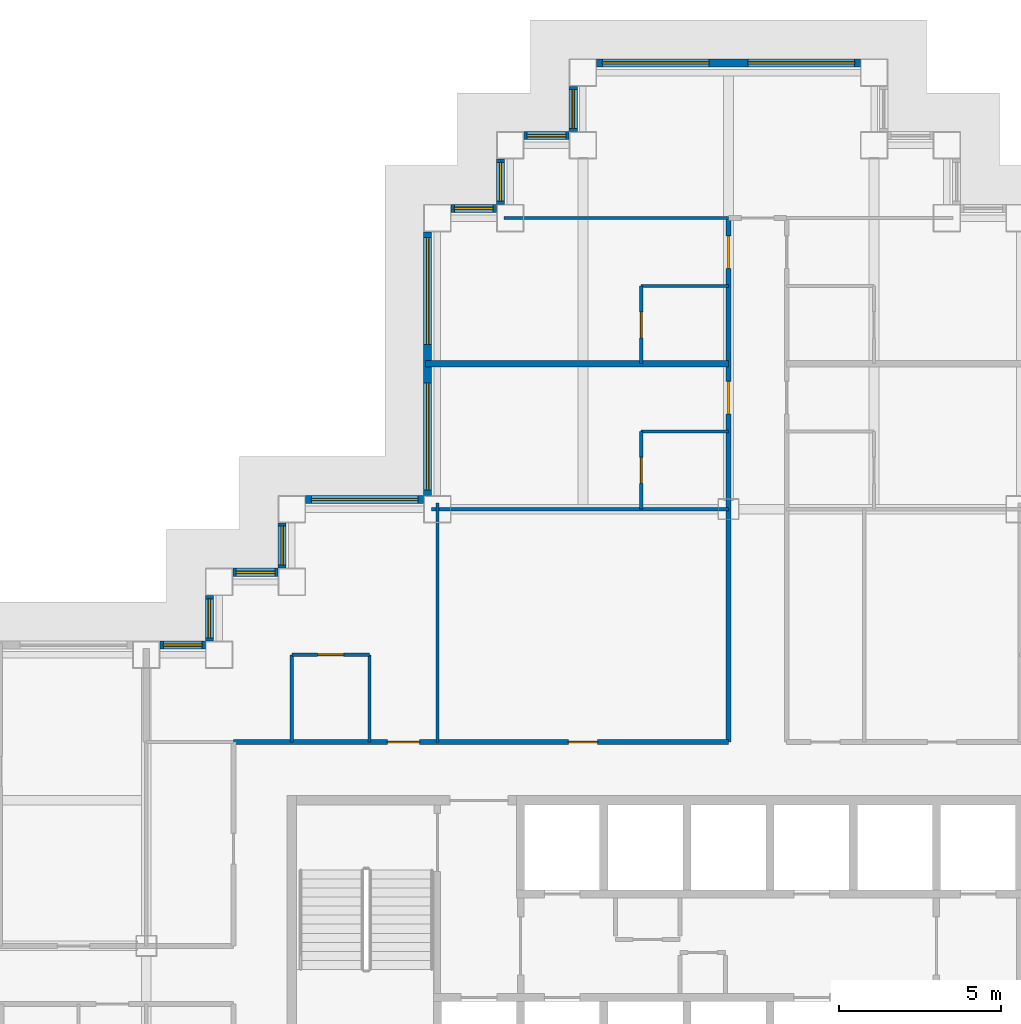
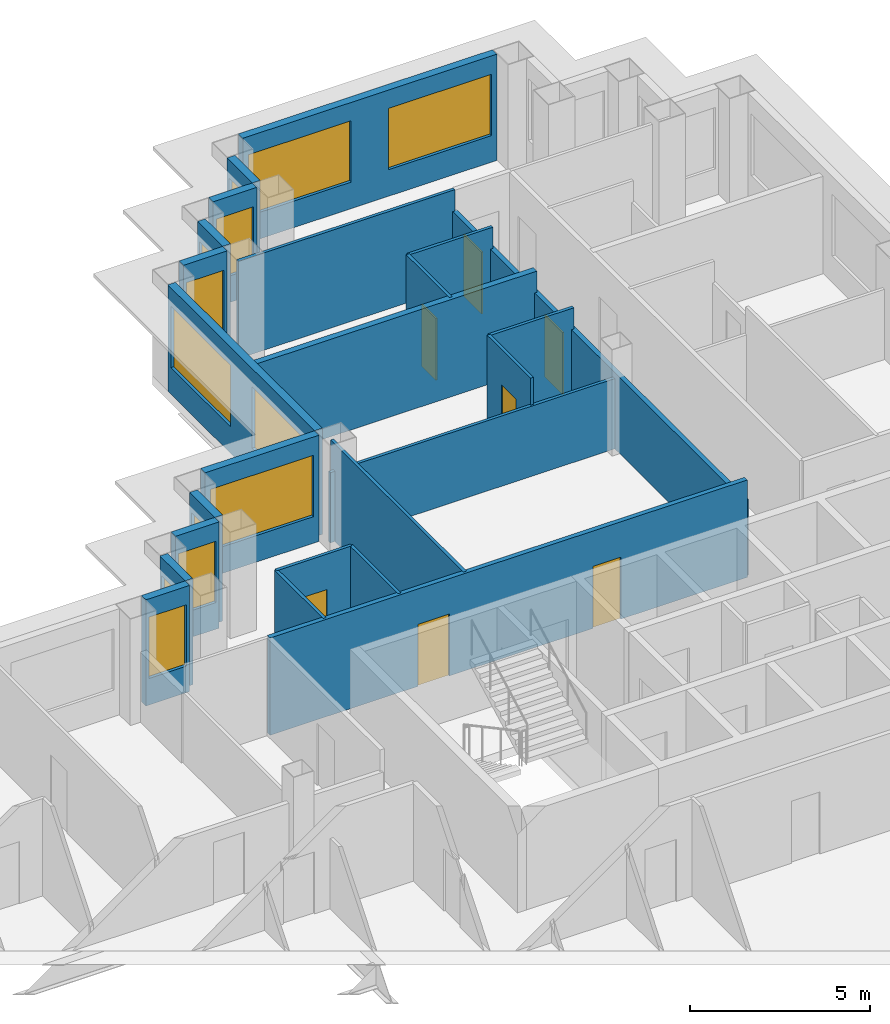
# One storey, part 9 of 16: 24 walls, 13 windows, 7 doors, 20 openings.
"""IFC4 building model written with IfcOpenShell, lengths in metres."""

from ifc_helpers import new_model, si_unit, direction, frame, frame_2d, origin, place, context, subcontext, project, spatial, rectangle, extrude, material, layer, layer_set, type_object, element, fill, save


model = new_model("IFC4")

# Units and contexts
model_context = context("Model", 3, precision=1e-05, world=origin(), true_north=direction((0.0, 1.0)))
body_context = subcontext(model_context, "Body", "Model", "MODEL_VIEW")
ifc_project = project(units=[si_unit("LENGTHUNIT", "METRE"), si_unit("AREAUNIT", "SQUARE_METRE"), si_unit("VOLUMEUNIT", "CUBIC_METRE"), si_unit("PLANEANGLEUNIT", "RADIAN"), si_unit("MASSUNIT", "GRAM", prefix="KILO")], contexts=[model_context])

# Site, building, storey
site_placement = place(None, origin())
site = spatial("IfcSite", under=ifc_project, at=site_placement, CompositionType="ELEMENT")
building_placement = place(site_placement, origin())
building = spatial("IfcBuilding", under=site, at=building_placement, Name="Caravel Reach Hotel and Residences", CompositionType="ELEMENT")
storey_placement = place(building_placement, frame((0.0, 0.0, 133.199951171875)))
storey = spatial("IfcBuildingStorey", under=building, at=storey_placement, Name="L33", CompositionType="ELEMENT", Elevation=133.199951171875)

# Wall, opening, door
ifc_material_1 = material(Name="Gypsum board on steel stud", Category="steel")
ifc_layer_1 = layer(ifc_material_1, 0.10009765625)
ifc_layer_set_1 = layer_set([ifc_layer_1], Name="Bathroom pod wall 100 mm")
wall_type_1 = type_object("IfcWallType", Name="Bathroom pod wall 100 mm", PredefinedType="PARTITIONING", material=ifc_layer_set_1)
wall_1_placement = place(storey_placement, frame((18.0, 36.0, 0.0), z_axis=(0.0, 0.0, 1.0), x_axis=(1.0, 0.0, 0.0)))
wall_1 = element("IfcWall", 1, at=wall_1_placement, inside=storey, type_object=wall_type_1, Name="L33 wall w092", PredefinedType="PARTITIONING", context=body_context, shape_type="SweptSolid", body=[
    extrude(rectangle(XDim=2.39990234375, YDim=0.10009765625, at=frame_2d((1.199951171875, 0.0))), origin(), (0.0, 0.0, 1.0), 3.300048828125),
])
opening_1_placement = place(wall_1_placement, frame((0.800048828125, 0.0, 0.0)))
opening_1 = element("IfcOpeningElement", 2, at=opening_1_placement, cuts=wall_1, Name="Opening D33-049", PredefinedType="OPENING", context=body_context, shape_type="SweptSolid", body=[
    extrude(rectangle(XDim=0.800048828125, YDim=2.10009765625, at=frame_2d((0.39990234375, 1.050048828125))), frame((0.0, 0.06005859375, 0.0), z_axis=(0.0, -1.0, 0.0), x_axis=(1.0, 0.0, 0.0)), (0.0, 0.0, 1.0), 0.1201171875),
])
ifc_material_2 = material(Name="Timber and steel door leaf", Category="steel")
door_type_1 = type_object("IfcDoorType", Name="Bathroom door 800 x 2100", OperationType="SINGLE_SWING_LEFT", PredefinedType="DOOR", material=ifc_material_2)
door_1_placement = place(opening_1_placement, origin())
door_1 = element("IfcDoor", 3, at=door_1_placement, inside=storey, type_object=door_type_1, Name="door D33-049", OperationType="SINGLE_SWING_RIGHT", OverallHeight=2.10009765625, OverallWidth=0.800048828125, PredefinedType="DOOR", context=body_context, shape_type="SweptSolid", body=[
    extrude(rectangle(XDim=0.800048828125, YDim=2.10009765625, at=frame_2d((0.39990234375, 1.050048828125))), frame((0.0, 0.02490234375, 0.0), z_axis=(0.0, -1.0, 0.0), x_axis=(1.0, 0.0, 0.0)), (0.0, 0.0, 1.0), 0.050048828125),
])
fill(opening_1, door_1)

# Walls
for number, where, z_axis, x_axis, name in (
    (4, (28.800048828125, 42.89990234375, 0.0), (0.0, 0.0, 1.0), (1.0, 0.0, 0.0), "L33 wall w095"),
    (5, (28.800048828125, 47.39990234375, 0.0), (0.0, 0.0, 1.0), (1.0, 0.0, 0.0), "L33 wall w097"),
    (6, (18.0, 33.300048828125, 0.0), (0.0, 0.0, 1.0), (0.0, 1.0, 0.0), "L33 wall w102"),
    (7, (20.39990234375, 33.300048828125, 0.0), (0.0, 0.0, 1.0), (0.0, 1.0, 0.0), "L33 wall w104"),
):
    element("IfcWall", number, at=place(storey_placement, frame(where, z_axis=z_axis, x_axis=x_axis)), inside=storey, type_object=wall_type_1, Name=name, PredefinedType="PARTITIONING", context=body_context, shape_type="SweptSolid", body=[
        extrude(rectangle(XDim=2.699951171875, YDim=0.10009765625, at=frame_2d((1.35009765625, 0.0))), origin(), (0.0, 0.0, 1.0), 3.300048828125),
    ])

# Wall, opening, door
wall_2_placement = place(storey_placement, frame((28.800048828125, 40.5, 0.0), z_axis=(0.0, 0.0, 1.0), x_axis=(0.0, 1.0, 0.0)))
wall_2 = element("IfcWall", 8, at=wall_2_placement, inside=storey, type_object=wall_type_1, Name="L33 wall w109", PredefinedType="PARTITIONING", context=body_context, shape_type="SweptSolid", body=[
    extrude(rectangle(XDim=2.39990234375, YDim=0.10009765625, at=frame_2d((1.199951171875, 0.0))), origin(), (0.0, 0.0, 1.0), 3.300048828125),
])
opening_2_placement = place(wall_2_placement, frame((0.800048828125, 0.0, 0.0)))
opening_2 = element("IfcOpeningElement", 9, at=opening_2_placement, cuts=wall_2, Name="Opening D33-028", PredefinedType="OPENING", context=body_context, shape_type="SweptSolid", body=[
    extrude(rectangle(XDim=0.800048828125, YDim=2.10009765625, at=frame_2d((0.39990234375, 1.050048828125))), frame((0.0, 0.06005859375, 0.0), z_axis=(0.0, -1.0, 0.0), x_axis=(1.0, 0.0, 0.0)), (0.0, 0.0, 1.0), 0.1201171875),
])
door_2_placement = place(opening_2_placement, origin())
door_2 = element("IfcDoor", 10, at=door_2_placement, inside=storey, type_object=door_type_1, Name="door D33-028", OperationType="SINGLE_SWING_RIGHT", OverallHeight=2.10009765625, OverallWidth=0.800048828125, PredefinedType="DOOR", context=body_context, shape_type="SweptSolid", body=[
    extrude(rectangle(XDim=0.800048828125, YDim=2.10009765625, at=frame_2d((0.39990234375, 1.050048828125))), frame((0.0, 0.02490234375, 0.0), z_axis=(0.0, -1.0, 0.0), x_axis=(1.0, 0.0, 0.0)), (0.0, 0.0, 1.0), 0.050048828125),
])
fill(opening_2, door_2)

wall_3_placement = place(storey_placement, frame((28.800048828125, 45.0, 0.0), z_axis=(0.0, 0.0, 1.0), x_axis=(0.0, 1.0, 0.0)))
wall_3 = element("IfcWall", 11, at=wall_3_placement, inside=storey, type_object=wall_type_1, Name="L33 wall w110", PredefinedType="PARTITIONING", context=body_context, shape_type="SweptSolid", body=[
    extrude(rectangle(XDim=2.39990234375, YDim=0.10009765625, at=frame_2d((1.199951171875, 0.0))), origin(), (0.0, 0.0, 1.0), 3.300048828125),
])
opening_3_placement = place(wall_3_placement, frame((0.800048828125, 0.0, 0.0)))
opening_3 = element("IfcOpeningElement", 12, at=opening_3_placement, cuts=wall_3, Name="Opening D33-030", PredefinedType="OPENING", context=body_context, shape_type="SweptSolid", body=[
    extrude(rectangle(XDim=0.800048828125, YDim=2.10009765625, at=frame_2d((0.39990234375, 1.050048828125))), frame((0.0, 0.06005859375, 0.0), z_axis=(0.0, -1.0, 0.0), x_axis=(1.0, 0.0, 0.0)), (0.0, 0.0, 1.0), 0.1201171875),
])
door_3_placement = place(opening_3_placement, origin())
door_3 = element("IfcDoor", 13, at=door_3_placement, inside=storey, type_object=door_type_1, Name="door D33-030", OperationType="SINGLE_SWING_RIGHT", OverallHeight=2.10009765625, OverallWidth=0.800048828125, PredefinedType="DOOR", context=body_context, shape_type="SweptSolid", body=[
    extrude(rectangle(XDim=0.800048828125, YDim=2.10009765625, at=frame_2d((0.39990234375, 1.050048828125))), frame((0.0, 0.02490234375, 0.0), z_axis=(0.0, -1.0, 0.0), x_axis=(1.0, 0.0, 0.0)), (0.0, 0.0, 1.0), 0.050048828125),
])
fill(opening_3, door_3)

# Wall, openings, doors
ifc_material_3 = material(Name="Gypsum board on steel stud, fire-rated", Category="steel")
ifc_layer_2 = layer(ifc_material_3, 0.14990234375)
ifc_layer_set_2 = layer_set([ifc_layer_2], Name="Corridor wall 150 mm EI 60")
wall_type_2 = type_object("IfcWallType", Name="Corridor wall 150 mm EI 60", PredefinedType="PARTITIONING", material=ifc_layer_set_2)
wall_4_placement = place(storey_placement, frame((16.199951171875, 33.300048828125, 0.0), z_axis=(0.0, 0.0, 1.0), x_axis=(1.0, 0.0, 0.0)))
wall_4 = element("IfcWall", 14, at=wall_4_placement, inside=storey, type_object=wall_type_2, Name="L33 wall w017", PredefinedType="PARTITIONING", context=body_context, shape_type="SweptSolid", body=[
    extrude(rectangle(XDim=15.300048828125, YDim=0.14990234375, at=frame_2d((7.64990234375, 0.0))), origin(), (0.0, 0.0, 1.0), 3.300048828125),
])
opening_4_placement = place(wall_4_placement, frame((4.75, 0.0, 0.0)))
opening_4 = element("IfcOpeningElement", 15, at=opening_4_placement, cuts=wall_4, Name="Opening D33-048", PredefinedType="OPENING", context=body_context, shape_type="SweptSolid", body=[
    extrude(rectangle(XDim=1.0, YDim=2.10009765625, at=frame_2d((0.5, 1.050048828125))), frame((0.0, 0.0849609375, 0.0), z_axis=(0.0, -1.0, 0.0), x_axis=(1.0, 0.0, 0.0)), (0.0, 0.0, 1.0), 0.169921875),
])
opening_5_placement = place(wall_4_placement, frame((10.35009765625, 0.0, 0.0)))
opening_5 = element("IfcOpeningElement", 16, at=opening_5_placement, cuts=wall_4, Name="Opening D33-057", PredefinedType="OPENING", context=body_context, shape_type="SweptSolid", body=[
    extrude(rectangle(XDim=0.89990234375, YDim=2.10009765625, at=frame_2d((0.449951171875, 1.050048828125))), frame((0.0, 0.0849609375, 0.0), z_axis=(0.0, -1.0, 0.0), x_axis=(1.0, 0.0, 0.0)), (0.0, 0.0, 1.0), 0.169921875),
])
ifc_material_4 = material(Name="Timber and steel door leaf", Category="steel")
door_type_2 = type_object("IfcDoorType", Name="Door 900 x 2100 timber", OperationType="SINGLE_SWING_LEFT", PredefinedType="DOOR", material=ifc_material_4)
door_4_placement = place(opening_5_placement, origin())
door_4 = element("IfcDoor", 17, at=door_4_placement, inside=storey, type_object=door_type_2, Name="door D33-057", OperationType="SINGLE_SWING_LEFT", OverallHeight=2.10009765625, OverallWidth=0.89990234375, PredefinedType="DOOR", context=body_context, shape_type="SweptSolid", body=[
    extrude(rectangle(XDim=0.89990234375, YDim=2.10009765625, at=frame_2d((0.449951171875, 1.050048828125))), frame((0.0, 0.02490234375, 0.0), z_axis=(0.0, -1.0, 0.0), x_axis=(1.0, 0.0, 0.0)), (0.0, 0.0, 1.0), 0.050048828125),
])
fill(opening_5, door_4)
ifc_material_5 = material(Name="Steel fire door leaf", Category="steel")
door_type_3 = type_object("IfcDoorType", Name="Guest room door 1000 x 2100 EI 30", OperationType="SINGLE_SWING_LEFT", PredefinedType="DOOR", material=ifc_material_5)
door_5_placement = place(opening_4_placement, origin())
door_5 = element("IfcDoor", 18, at=door_5_placement, inside=storey, type_object=door_type_3, Name="door D33-048", OperationType="SINGLE_SWING_RIGHT", OverallHeight=2.10009765625, OverallWidth=1.0, PredefinedType="DOOR", context=body_context, shape_type="SweptSolid", body=[
    extrude(rectangle(XDim=1.0, YDim=2.10009765625, at=frame_2d((0.5, 1.050048828125))), frame((0.0, 0.02490234375, 0.0), z_axis=(0.0, -1.0, 0.0), x_axis=(1.0, 0.0, 0.0)), (0.0, 0.0, 1.0), 0.050048828125),
])
fill(opening_4, door_5)

wall_5_placement = place(storey_placement, frame((31.5, 33.300048828125, 0.0), z_axis=(0.0, 0.0, 1.0), x_axis=(0.0, 1.0, 0.0)))
wall_5 = element("IfcWall", 19, at=wall_5_placement, inside=storey, type_object=wall_type_2, Name="L33 wall w031", PredefinedType="PARTITIONING", context=body_context, shape_type="SweptSolid", body=[
    extrude(rectangle(XDim=16.199951171875, YDim=0.14990234375, at=frame_2d((8.10009765625, 0.0))), origin(), (0.0, 0.0, 1.0), 2.580078125),
])
opening_6_placement = place(wall_5_placement, frame((10.14990234375, 0.0, 0.0)))
opening_6 = element("IfcOpeningElement", 20, at=opening_6_placement, cuts=wall_5, Name="Opening D33-027", PredefinedType="OPENING", context=body_context, shape_type="SweptSolid", body=[
    extrude(rectangle(XDim=1.0, YDim=2.10009765625, at=frame_2d((0.5, 1.050048828125))), frame((0.0, 0.0849609375, 0.0), z_axis=(0.0, -1.0, 0.0), x_axis=(1.0, 0.0, 0.0)), (0.0, 0.0, 1.0), 0.169921875),
])
opening_7_placement = place(wall_5_placement, frame((14.64990234375, 0.0, 0.0)))
opening_7 = element("IfcOpeningElement", 21, at=opening_7_placement, cuts=wall_5, Name="Opening D33-029", PredefinedType="OPENING", context=body_context, shape_type="SweptSolid", body=[
    extrude(rectangle(XDim=1.0, YDim=2.10009765625, at=frame_2d((0.5, 1.050048828125))), frame((0.0, 0.0849609375, 0.0), z_axis=(0.0, -1.0, 0.0), x_axis=(1.0, 0.0, 0.0)), (0.0, 0.0, 1.0), 0.169921875),
])
door_6_placement = place(opening_6_placement, origin())
door_6 = element("IfcDoor", 22, at=door_6_placement, inside=storey, type_object=door_type_3, Name="door D33-027", OperationType="SINGLE_SWING_RIGHT", OverallHeight=2.10009765625, OverallWidth=1.0, PredefinedType="DOOR", context=body_context, shape_type="SweptSolid", body=[
    extrude(rectangle(XDim=1.0, YDim=2.10009765625, at=frame_2d((0.5, 1.050048828125))), frame((0.0, 0.02490234375, 0.0), z_axis=(0.0, -1.0, 0.0), x_axis=(1.0, 0.0, 0.0)), (0.0, 0.0, 1.0), 0.050048828125),
])
fill(opening_6, door_6)
door_7_placement = place(opening_7_placement, origin())
door_7 = element("IfcDoor", 23, at=door_7_placement, inside=storey, type_object=door_type_3, Name="door D33-029", OperationType="SINGLE_SWING_RIGHT", OverallHeight=2.10009765625, OverallWidth=1.0, PredefinedType="DOOR", context=body_context, shape_type="SweptSolid", body=[
    extrude(rectangle(XDim=1.0, YDim=2.10009765625, at=frame_2d((0.5, 1.050048828125))), frame((0.0, 0.02490234375, 0.0), z_axis=(0.0, -1.0, 0.0), x_axis=(1.0, 0.0, 0.0)), (0.0, 0.0, 1.0), 0.050048828125),
])
fill(opening_7, door_7)

# Wall, openings, windows
ifc_material_6 = material(Name="Insulated rainscreen wall, aluminium cladding", Category="aluminium")
ifc_layer_3 = layer(ifc_material_6, 0.25)
ifc_layer_set_3 = layer_set([ifc_layer_3], Name="EW1 Tower rainscreen wall")
wall_type_3 = type_object("IfcWallType", Name="EW1 Tower rainscreen wall", PredefinedType="SOLIDWALL", material=ifc_layer_set_3)
wall_6_placement = place(storey_placement, frame((35.574951171875, 54.300048828125, 0.0), z_axis=(0.0, 0.0, 1.0), x_axis=(-1.0, 0.0, 0.0)))
wall_6 = element("IfcWall", 24, at=wall_6_placement, inside=storey, type_object=wall_type_3, Name="External wall L33 N35.1", PredefinedType="SOLIDWALL", context=body_context, shape_type="SweptSolid", body=[
    extrude(rectangle(XDim=8.14990234375, YDim=0.25, at=frame_2d((4.074951171875, 0.0))), origin(), (0.0, 0.0, 1.0), 3.60009765625),
])
opening_8_placement = place(wall_6_placement, frame((0.175048828125, 0.0, 0.89990234375)))
opening_8 = element("IfcOpeningElement", 25, at=opening_8_placement, cuts=wall_6, Name="Opening WN4", PredefinedType="OPENING", context=body_context, shape_type="SweptSolid", body=[
    extrude(rectangle(XDim=3.300048828125, YDim=2.080078125, at=frame_2d((1.64990234375, 1.0400390625))), frame((0.0, 0.135009765625, 0.0), z_axis=(0.0, -1.0, 0.0), x_axis=(1.0, 0.0, 0.0)), (0.0, 0.0, 1.0), 0.27001953125),
])
opening_9_placement = place(wall_6_placement, frame((4.675048828125, 0.0, 0.89990234375)))
opening_9 = element("IfcOpeningElement", 26, at=opening_9_placement, cuts=wall_6, Name="Opening WN4", PredefinedType="OPENING", context=body_context, shape_type="SweptSolid", body=[
    extrude(rectangle(XDim=3.300048828125, YDim=2.080078125, at=frame_2d((1.64990234375, 1.0400390625))), frame((0.0, 0.135009765625, 0.0), z_axis=(0.0, -1.0, 0.0), x_axis=(1.0, 0.0, 0.0)), (0.0, 0.0, 1.0), 0.27001953125),
])
ifc_material_7 = material(Name="Dark low-e glazing in black aluminium frame", Category="aluminium")
window_type_1 = type_object("IfcWindowType", Name="Hotel guest room window 3300 x 2080", PartitioningType="SINGLE_PANEL", PredefinedType="WINDOW", material=ifc_material_7)
window_1_placement = place(opening_8_placement, origin())
window_1 = element("IfcWindow", 27, at=window_1_placement, inside=storey, type_object=window_type_1, Name="Window L33 N35.1.1", OverallHeight=2.080078125, OverallWidth=3.300048828125, PartitioningType="SINGLE_PANEL", PredefinedType="WINDOW", context=body_context, shape_type="SweptSolid", body=[
    extrude(rectangle(XDim=3.300048828125, YDim=2.080078125, at=frame_2d((1.64990234375, 1.0400390625))), frame((0.0, 0.030029296875, 0.0), z_axis=(0.0, -1.0, 0.0), x_axis=(1.0, 0.0, 0.0)), (0.0, 0.0, 1.0), 0.06005859375),
])
fill(opening_8, window_1)
window_2_placement = place(opening_9_placement, origin())
window_2 = element("IfcWindow", 28, at=window_2_placement, inside=storey, type_object=window_type_1, Name="Window L33 N35.1.2", OverallHeight=2.080078125, OverallWidth=3.300048828125, PartitioningType="SINGLE_PANEL", PredefinedType="WINDOW", context=body_context, shape_type="SweptSolid", body=[
    extrude(rectangle(XDim=3.300048828125, YDim=2.080078125, at=frame_2d((1.64990234375, 1.0400390625))), frame((0.0, 0.030029296875, 0.0), z_axis=(0.0, -1.0, 0.0), x_axis=(1.0, 0.0, 0.0)), (0.0, 0.0, 1.0), 0.06005859375),
])
fill(opening_9, window_2)

# Wall, opening, window
wall_7_placement = place(storey_placement, frame((26.699951171875, 53.574951171875, 0.0), z_axis=(0.0, 0.0, 1.0), x_axis=(0.0, -1.0, 0.0)))
wall_7 = element("IfcWall", 29, at=wall_7_placement, inside=storey, type_object=wall_type_3, Name="External wall L33 W36.1", PredefinedType="SOLIDWALL", context=body_context, shape_type="SweptSolid", body=[
    extrude(rectangle(XDim=1.39990234375, YDim=0.25, at=frame_2d((0.699951171875, 0.0))), origin(), (0.0, 0.0, 1.0), 3.60009765625),
])
opening_10_placement = place(wall_7_placement, frame((0.10009765625, 0.0, 0.89990234375)))
opening_10 = element("IfcOpeningElement", 30, at=opening_10_placement, cuts=wall_7, Name="Opening WN9", PredefinedType="OPENING", context=body_context, shape_type="SweptSolid", body=[
    extrude(rectangle(XDim=1.199951171875, YDim=2.080078125, at=frame_2d((0.60009765625, 1.0400390625))), frame((0.0, 0.135009765625, 0.0), z_axis=(0.0, -1.0, 0.0), x_axis=(1.0, 0.0, 0.0)), (0.0, 0.0, 1.0), 0.27001953125),
])
ifc_material_8 = material(Name="Dark low-e glazing in black aluminium frame", Category="aluminium")
window_type_2 = type_object("IfcWindowType", Name="Hotel suite corner window 1200 x 2080", PartitioningType="SINGLE_PANEL", PredefinedType="WINDOW", material=ifc_material_8)
window_3_placement = place(opening_10_placement, origin())
window_3 = element("IfcWindow", 31, at=window_3_placement, inside=storey, type_object=window_type_2, Name="Window L33 W36.1.1", OverallHeight=2.080078125, OverallWidth=1.199951171875, PartitioningType="SINGLE_PANEL", PredefinedType="WINDOW", context=body_context, shape_type="SweptSolid", body=[
    extrude(rectangle(XDim=1.199951171875, YDim=2.080078125, at=frame_2d((0.60009765625, 1.0400390625))), frame((0.0, 0.030029296875, 0.0), z_axis=(0.0, -1.0, 0.0), x_axis=(1.0, 0.0, 0.0)), (0.0, 0.0, 1.0), 0.06005859375),
])
fill(opening_10, window_3)

wall_8_placement = place(storey_placement, frame((26.574951171875, 52.050048828125, 0.0), z_axis=(0.0, 0.0, 1.0), x_axis=(-1.0, 0.0, 0.0)))
wall_8 = element("IfcWall", 32, at=wall_8_placement, inside=storey, type_object=wall_type_3, Name="External wall L33 N37.1", PredefinedType="SOLIDWALL", context=body_context, shape_type="SweptSolid", body=[
    extrude(rectangle(XDim=1.39990234375, YDim=0.25, at=frame_2d((0.699951171875, 0.0))), origin(), (0.0, 0.0, 1.0), 3.60009765625),
])
opening_11_placement = place(wall_8_placement, frame((0.10009765625, 0.0, 0.89990234375)))
opening_11 = element("IfcOpeningElement", 33, at=opening_11_placement, cuts=wall_8, Name="Opening WN9", PredefinedType="OPENING", context=body_context, shape_type="SweptSolid", body=[
    extrude(rectangle(XDim=1.199951171875, YDim=2.080078125, at=frame_2d((0.60009765625, 1.0400390625))), frame((0.0, 0.135009765625, 0.0), z_axis=(0.0, -1.0, 0.0), x_axis=(1.0, 0.0, 0.0)), (0.0, 0.0, 1.0), 0.27001953125),
])
window_4_placement = place(opening_11_placement, origin())
window_4 = element("IfcWindow", 34, at=window_4_placement, inside=storey, type_object=window_type_2, Name="Window L33 N37.1.1", OverallHeight=2.080078125, OverallWidth=1.199951171875, PartitioningType="SINGLE_PANEL", PredefinedType="WINDOW", context=body_context, shape_type="SweptSolid", body=[
    extrude(rectangle(XDim=1.199951171875, YDim=2.080078125, at=frame_2d((0.60009765625, 1.0400390625))), frame((0.0, 0.030029296875, 0.0), z_axis=(0.0, -1.0, 0.0), x_axis=(1.0, 0.0, 0.0)), (0.0, 0.0, 1.0), 0.06005859375),
])
fill(opening_11, window_4)

wall_9_placement = place(storey_placement, frame((24.449951171875, 51.324951171875, 0.0), z_axis=(0.0, 0.0, 1.0), x_axis=(0.0, -1.0, 0.0)))
wall_9 = element("IfcWall", 35, at=wall_9_placement, inside=storey, type_object=wall_type_3, Name="External wall L33 W38.1", PredefinedType="SOLIDWALL", context=body_context, shape_type="SweptSolid", body=[
    extrude(rectangle(XDim=1.39990234375, YDim=0.25, at=frame_2d((0.699951171875, 0.0))), origin(), (0.0, 0.0, 1.0), 3.60009765625),
])
opening_12_placement = place(wall_9_placement, frame((0.10009765625, 0.0, 0.89990234375)))
opening_12 = element("IfcOpeningElement", 36, at=opening_12_placement, cuts=wall_9, Name="Opening WN9", PredefinedType="OPENING", context=body_context, shape_type="SweptSolid", body=[
    extrude(rectangle(XDim=1.199951171875, YDim=2.080078125, at=frame_2d((0.60009765625, 1.0400390625))), frame((0.0, 0.135009765625, 0.0), z_axis=(0.0, -1.0, 0.0), x_axis=(1.0, 0.0, 0.0)), (0.0, 0.0, 1.0), 0.27001953125),
])
window_5_placement = place(opening_12_placement, origin())
window_5 = element("IfcWindow", 37, at=window_5_placement, inside=storey, type_object=window_type_2, Name="Window L33 W38.1.1", OverallHeight=2.080078125, OverallWidth=1.199951171875, PartitioningType="SINGLE_PANEL", PredefinedType="WINDOW", context=body_context, shape_type="SweptSolid", body=[
    extrude(rectangle(XDim=1.199951171875, YDim=2.080078125, at=frame_2d((0.60009765625, 1.0400390625))), frame((0.0, 0.030029296875, 0.0), z_axis=(0.0, -1.0, 0.0), x_axis=(1.0, 0.0, 0.0)), (0.0, 0.0, 1.0), 0.06005859375),
])
fill(opening_12, window_5)

wall_10_placement = place(storey_placement, frame((24.324951171875, 49.800048828125, 0.0), z_axis=(0.0, 0.0, 1.0), x_axis=(-1.0, 0.0, 0.0)))
wall_10 = element("IfcWall", 38, at=wall_10_placement, inside=storey, type_object=wall_type_3, Name="External wall L33 N39.1", PredefinedType="SOLIDWALL", context=body_context, shape_type="SweptSolid", body=[
    extrude(rectangle(XDim=1.39990234375, YDim=0.25, at=frame_2d((0.699951171875, 0.0))), origin(), (0.0, 0.0, 1.0), 3.60009765625),
])
opening_13_placement = place(wall_10_placement, frame((0.10009765625, 0.0, 0.89990234375)))
opening_13 = element("IfcOpeningElement", 39, at=opening_13_placement, cuts=wall_10, Name="Opening WN9", PredefinedType="OPENING", context=body_context, shape_type="SweptSolid", body=[
    extrude(rectangle(XDim=1.199951171875, YDim=2.080078125, at=frame_2d((0.60009765625, 1.0400390625))), frame((0.0, 0.135009765625, 0.0), z_axis=(0.0, -1.0, 0.0), x_axis=(1.0, 0.0, 0.0)), (0.0, 0.0, 1.0), 0.27001953125),
])
window_6_placement = place(opening_13_placement, origin())
window_6 = element("IfcWindow", 40, at=window_6_placement, inside=storey, type_object=window_type_2, Name="Window L33 N39.1.1", OverallHeight=2.080078125, OverallWidth=1.199951171875, PartitioningType="SINGLE_PANEL", PredefinedType="WINDOW", context=body_context, shape_type="SweptSolid", body=[
    extrude(rectangle(XDim=1.199951171875, YDim=2.080078125, at=frame_2d((0.60009765625, 1.0400390625))), frame((0.0, 0.030029296875, 0.0), z_axis=(0.0, -1.0, 0.0), x_axis=(1.0, 0.0, 0.0)), (0.0, 0.0, 1.0), 0.06005859375),
])
fill(opening_13, window_6)

# Wall, openings, windows
wall_11_placement = place(storey_placement, frame((22.199951171875, 49.074951171875, 0.0), z_axis=(0.0, 0.0, 1.0), x_axis=(0.0, -1.0, 0.0)))
wall_11 = element("IfcWall", 41, at=wall_11_placement, inside=storey, type_object=wall_type_3, Name="External wall L33 W40.1", PredefinedType="SOLIDWALL", context=body_context, shape_type="SweptSolid", body=[
    extrude(rectangle(XDim=8.14990234375, YDim=0.25, at=frame_2d((4.074951171875, 0.0))), origin(), (0.0, 0.0, 1.0), 3.60009765625),
])
opening_14_placement = place(wall_11_placement, frame((0.175048828125, 0.0, 0.89990234375)))
opening_14 = element("IfcOpeningElement", 42, at=opening_14_placement, cuts=wall_11, Name="Opening WN4", PredefinedType="OPENING", context=body_context, shape_type="SweptSolid", body=[
    extrude(rectangle(XDim=3.300048828125, YDim=2.080078125, at=frame_2d((1.64990234375, 1.0400390625))), frame((0.0, 0.135009765625, 0.0), z_axis=(0.0, -1.0, 0.0), x_axis=(1.0, 0.0, 0.0)), (0.0, 0.0, 1.0), 0.27001953125),
])
opening_15_placement = place(wall_11_placement, frame((4.675048828125, 0.0, 0.89990234375)))
opening_15 = element("IfcOpeningElement", 43, at=opening_15_placement, cuts=wall_11, Name="Opening WN4", PredefinedType="OPENING", context=body_context, shape_type="SweptSolid", body=[
    extrude(rectangle(XDim=3.300048828125, YDim=2.080078125, at=frame_2d((1.64990234375, 1.0400390625))), frame((0.0, 0.135009765625, 0.0), z_axis=(0.0, -1.0, 0.0), x_axis=(1.0, 0.0, 0.0)), (0.0, 0.0, 1.0), 0.27001953125),
])
window_7_placement = place(opening_14_placement, origin())
window_7 = element("IfcWindow", 44, at=window_7_placement, inside=storey, type_object=window_type_1, Name="Window L33 W40.1.1", OverallHeight=2.080078125, OverallWidth=3.300048828125, PartitioningType="SINGLE_PANEL", PredefinedType="WINDOW", context=body_context, shape_type="SweptSolid", body=[
    extrude(rectangle(XDim=3.300048828125, YDim=2.080078125, at=frame_2d((1.64990234375, 1.0400390625))), frame((0.0, 0.030029296875, 0.0), z_axis=(0.0, -1.0, 0.0), x_axis=(1.0, 0.0, 0.0)), (0.0, 0.0, 1.0), 0.06005859375),
])
fill(opening_14, window_7)
window_8_placement = place(opening_15_placement, origin())
window_8 = element("IfcWindow", 45, at=window_8_placement, inside=storey, type_object=window_type_1, Name="Window L33 W40.1.2", OverallHeight=2.080078125, OverallWidth=3.300048828125, PartitioningType="SINGLE_PANEL", PredefinedType="WINDOW", context=body_context, shape_type="SweptSolid", body=[
    extrude(rectangle(XDim=3.300048828125, YDim=2.080078125, at=frame_2d((1.64990234375, 1.0400390625))), frame((0.0, 0.030029296875, 0.0), z_axis=(0.0, -1.0, 0.0), x_axis=(1.0, 0.0, 0.0)), (0.0, 0.0, 1.0), 0.06005859375),
])
fill(opening_15, window_8)

# Wall, opening, window
wall_12_placement = place(storey_placement, frame((22.074951171875, 40.800048828125, 0.0), z_axis=(0.0, 0.0, 1.0), x_axis=(-1.0, 0.0, 0.0)))
wall_12 = element("IfcWall", 46, at=wall_12_placement, inside=storey, type_object=wall_type_3, Name="External wall L33 N41.1", PredefinedType="SOLIDWALL", context=body_context, shape_type="SweptSolid", body=[
    extrude(rectangle(XDim=3.64990234375, YDim=0.25, at=frame_2d((1.824951171875, 0.0))), origin(), (0.0, 0.0, 1.0), 3.60009765625),
])
opening_16_placement = place(wall_12_placement, frame((0.175048828125, 0.0, 0.89990234375)))
opening_16 = element("IfcOpeningElement", 47, at=opening_16_placement, cuts=wall_12, Name="Opening WN4", PredefinedType="OPENING", context=body_context, shape_type="SweptSolid", body=[
    extrude(rectangle(XDim=3.300048828125, YDim=2.080078125, at=frame_2d((1.64990234375, 1.0400390625))), frame((0.0, 0.135009765625, 0.0), z_axis=(0.0, -1.0, 0.0), x_axis=(1.0, 0.0, 0.0)), (0.0, 0.0, 1.0), 0.27001953125),
])
window_9_placement = place(opening_16_placement, origin())
window_9 = element("IfcWindow", 48, at=window_9_placement, inside=storey, type_object=window_type_1, Name="Window L33 N41.1.1", OverallHeight=2.080078125, OverallWidth=3.300048828125, PartitioningType="SINGLE_PANEL", PredefinedType="WINDOW", context=body_context, shape_type="SweptSolid", body=[
    extrude(rectangle(XDim=3.300048828125, YDim=2.080078125, at=frame_2d((1.64990234375, 1.0400390625))), frame((0.0, 0.030029296875, 0.0), z_axis=(0.0, -1.0, 0.0), x_axis=(1.0, 0.0, 0.0)), (0.0, 0.0, 1.0), 0.06005859375),
])
fill(opening_16, window_9)

wall_13_placement = place(storey_placement, frame((17.699951171875, 40.074951171875, 0.0), z_axis=(0.0, 0.0, 1.0), x_axis=(0.0, -1.0, 0.0)))
wall_13 = element("IfcWall", 49, at=wall_13_placement, inside=storey, type_object=wall_type_3, Name="External wall L33 W42.1", PredefinedType="SOLIDWALL", context=body_context, shape_type="SweptSolid", body=[
    extrude(rectangle(XDim=1.39990234375, YDim=0.25, at=frame_2d((0.699951171875, 0.0))), origin(), (0.0, 0.0, 1.0), 3.60009765625),
])
opening_17_placement = place(wall_13_placement, frame((0.10009765625, 0.0, 0.89990234375)))
opening_17 = element("IfcOpeningElement", 50, at=opening_17_placement, cuts=wall_13, Name="Opening WN9", PredefinedType="OPENING", context=body_context, shape_type="SweptSolid", body=[
    extrude(rectangle(XDim=1.199951171875, YDim=2.080078125, at=frame_2d((0.60009765625, 1.0400390625))), frame((0.0, 0.135009765625, 0.0), z_axis=(0.0, -1.0, 0.0), x_axis=(1.0, 0.0, 0.0)), (0.0, 0.0, 1.0), 0.27001953125),
])
window_10_placement = place(opening_17_placement, origin())
window_10 = element("IfcWindow", 51, at=window_10_placement, inside=storey, type_object=window_type_2, Name="Window L33 W42.1.1", OverallHeight=2.080078125, OverallWidth=1.199951171875, PartitioningType="SINGLE_PANEL", PredefinedType="WINDOW", context=body_context, shape_type="SweptSolid", body=[
    extrude(rectangle(XDim=1.199951171875, YDim=2.080078125, at=frame_2d((0.60009765625, 1.0400390625))), frame((0.0, 0.030029296875, 0.0), z_axis=(0.0, -1.0, 0.0), x_axis=(1.0, 0.0, 0.0)), (0.0, 0.0, 1.0), 0.06005859375),
])
fill(opening_17, window_10)

wall_14_placement = place(storey_placement, frame((17.574951171875, 38.550048828125, 0.0), z_axis=(0.0, 0.0, 1.0), x_axis=(-1.0, 0.0, 0.0)))
wall_14 = element("IfcWall", 52, at=wall_14_placement, inside=storey, type_object=wall_type_3, Name="External wall L33 N43.1", PredefinedType="SOLIDWALL", context=body_context, shape_type="SweptSolid", body=[
    extrude(rectangle(XDim=1.39990234375, YDim=0.25, at=frame_2d((0.699951171875, 0.0))), origin(), (0.0, 0.0, 1.0), 3.60009765625),
])
opening_18_placement = place(wall_14_placement, frame((0.10009765625, 0.0, 0.89990234375)))
opening_18 = element("IfcOpeningElement", 53, at=opening_18_placement, cuts=wall_14, Name="Opening WN9", PredefinedType="OPENING", context=body_context, shape_type="SweptSolid", body=[
    extrude(rectangle(XDim=1.199951171875, YDim=2.080078125, at=frame_2d((0.60009765625, 1.0400390625))), frame((0.0, 0.135009765625, 0.0), z_axis=(0.0, -1.0, 0.0), x_axis=(1.0, 0.0, 0.0)), (0.0, 0.0, 1.0), 0.27001953125),
])
window_11_placement = place(opening_18_placement, origin())
window_11 = element("IfcWindow", 54, at=window_11_placement, inside=storey, type_object=window_type_2, Name="Window L33 N43.1.1", OverallHeight=2.080078125, OverallWidth=1.199951171875, PartitioningType="SINGLE_PANEL", PredefinedType="WINDOW", context=body_context, shape_type="SweptSolid", body=[
    extrude(rectangle(XDim=1.199951171875, YDim=2.080078125, at=frame_2d((0.60009765625, 1.0400390625))), frame((0.0, 0.030029296875, 0.0), z_axis=(0.0, -1.0, 0.0), x_axis=(1.0, 0.0, 0.0)), (0.0, 0.0, 1.0), 0.06005859375),
])
fill(opening_18, window_11)

wall_15_placement = place(storey_placement, frame((15.449951171875, 37.824951171875, 0.0), z_axis=(0.0, 0.0, 1.0), x_axis=(0.0, -1.0, 0.0)))
wall_15 = element("IfcWall", 55, at=wall_15_placement, inside=storey, type_object=wall_type_3, Name="External wall L33 W44.1", PredefinedType="SOLIDWALL", context=body_context, shape_type="SweptSolid", body=[
    extrude(rectangle(XDim=1.39990234375, YDim=0.25, at=frame_2d((0.699951171875, 0.0))), origin(), (0.0, 0.0, 1.0), 3.60009765625),
])
opening_19_placement = place(wall_15_placement, frame((0.10009765625, 0.0, 0.89990234375)))
opening_19 = element("IfcOpeningElement", 56, at=opening_19_placement, cuts=wall_15, Name="Opening WN9", PredefinedType="OPENING", context=body_context, shape_type="SweptSolid", body=[
    extrude(rectangle(XDim=1.199951171875, YDim=2.080078125, at=frame_2d((0.60009765625, 1.0400390625))), frame((0.0, 0.135009765625, 0.0), z_axis=(0.0, -1.0, 0.0), x_axis=(1.0, 0.0, 0.0)), (0.0, 0.0, 1.0), 0.27001953125),
])
window_12_placement = place(opening_19_placement, origin())
window_12 = element("IfcWindow", 57, at=window_12_placement, inside=storey, type_object=window_type_2, Name="Window L33 W44.1.1", OverallHeight=2.080078125, OverallWidth=1.199951171875, PartitioningType="SINGLE_PANEL", PredefinedType="WINDOW", context=body_context, shape_type="SweptSolid", body=[
    extrude(rectangle(XDim=1.199951171875, YDim=2.080078125, at=frame_2d((0.60009765625, 1.0400390625))), frame((0.0, 0.030029296875, 0.0), z_axis=(0.0, -1.0, 0.0), x_axis=(1.0, 0.0, 0.0)), (0.0, 0.0, 1.0), 0.06005859375),
])
fill(opening_19, window_12)

wall_16_placement = place(storey_placement, frame((15.324951171875, 36.300048828125, 0.0), z_axis=(0.0, 0.0, 1.0), x_axis=(-1.0, 0.0, 0.0)))
wall_16 = element("IfcWall", 58, at=wall_16_placement, inside=storey, type_object=wall_type_3, Name="External wall L33 N45.1", PredefinedType="SOLIDWALL", context=body_context, shape_type="SweptSolid", body=[
    extrude(rectangle(XDim=1.39990234375, YDim=0.25, at=frame_2d((0.699951171875, 0.0))), origin(), (0.0, 0.0, 1.0), 3.60009765625),
])
opening_20_placement = place(wall_16_placement, frame((0.10009765625, 0.0, 0.89990234375)))
opening_20 = element("IfcOpeningElement", 59, at=opening_20_placement, cuts=wall_16, Name="Opening WN9", PredefinedType="OPENING", context=body_context, shape_type="SweptSolid", body=[
    extrude(rectangle(XDim=1.199951171875, YDim=2.080078125, at=frame_2d((0.60009765625, 1.0400390625))), frame((0.0, 0.135009765625, 0.0), z_axis=(0.0, -1.0, 0.0), x_axis=(1.0, 0.0, 0.0)), (0.0, 0.0, 1.0), 0.27001953125),
])
window_13_placement = place(opening_20_placement, origin())
window_13 = element("IfcWindow", 60, at=window_13_placement, inside=storey, type_object=window_type_2, Name="Window L33 N45.1.1", OverallHeight=2.080078125, OverallWidth=1.199951171875, PartitioningType="SINGLE_PANEL", PredefinedType="WINDOW", context=body_context, shape_type="SweptSolid", body=[
    extrude(rectangle(XDim=1.199951171875, YDim=2.080078125, at=frame_2d((0.60009765625, 1.0400390625))), frame((0.0, 0.030029296875, 0.0), z_axis=(0.0, -1.0, 0.0), x_axis=(1.0, 0.0, 0.0)), (0.0, 0.0, 1.0), 0.06005859375),
])
fill(opening_20, window_13)

# Walls
ifc_material_9 = material(Name="Gypsum board on steel stud", Category="steel")
ifc_layer_4 = layer(ifc_material_9, 0.10009765625)
ifc_layer_set_4 = layer_set([ifc_layer_4], Name="Partition 100 mm")
wall_type_4 = type_object("IfcWallType", Name="Partition 100 mm", PredefinedType="PARTITIONING", material=ifc_layer_set_4)
wall_17_placement = place(storey_placement, frame((22.31005859375, 40.5, 0.0), z_axis=(0.0, 0.0, 1.0), x_axis=(1.0, 0.0, 0.0)))
element("IfcWall", 61, at=wall_17_placement, inside=storey, type_object=wall_type_4, Name="L33 wall w051", PredefinedType="PARTITIONING", context=body_context, shape_type="SweptSolid", body=[
    extrude(rectangle(XDim=9.18994140625, YDim=0.10009765625, at=frame_2d((4.594970703125, 0.0))), origin(), (0.0, 0.0, 1.0), 2.380126953125),
])
wall_18_placement = place(storey_placement, frame((24.56005859375, 49.5, 0.0), z_axis=(0.0, 0.0, 1.0), x_axis=(1.0, 0.0, 0.0)))
element("IfcWall", 62, at=wall_18_placement, inside=storey, type_object=wall_type_4, Name="L33 wall w053", PredefinedType="PARTITIONING", context=body_context, shape_type="SweptSolid", body=[
    extrude(rectangle(XDim=6.93994140625, YDim=0.10009765625, at=frame_2d((3.469970703125, 0.0))), origin(), (0.0, 0.0, 1.0), 3.300048828125),
])
wall_19_placement = place(storey_placement, frame((22.5, 33.300048828125, 0.0), z_axis=(0.0, 0.0, 1.0), x_axis=(0.0, 1.0, 0.0)))
element("IfcWall", 63, at=wall_19_placement, inside=storey, type_object=wall_type_4, Name="L33 wall w057", PredefinedType="PARTITIONING", context=body_context, shape_type="SweptSolid", body=[
    extrude(rectangle(XDim=7.389892578125, YDim=0.10009765625, at=frame_2d((3.69482421875, 0.0))), origin(), (0.0, 0.0, 1.0), 3.300048828125),
])
ifc_material_10 = material(Name="Autoclaved aerated block wall")
ifc_layer_5 = layer(ifc_material_10, 0.199951171875)
ifc_layer_set_5 = layer_set([ifc_layer_5], Name="Party wall 200 mm EI 60")
wall_type_5 = type_object("IfcWallType", Name="Party wall 200 mm EI 60", PredefinedType="PARTITIONING", material=ifc_layer_set_5)
wall_20_placement = place(storey_placement, frame((22.135009765625, 45.0, 0.0), z_axis=(0.0, 0.0, 1.0), x_axis=(1.0, 0.0, 0.0)))
element("IfcWall", 64, at=wall_20_placement, inside=storey, type_object=wall_type_5, Name="L33 wall w073", PredefinedType="PARTITIONING", context=body_context, shape_type="SweptSolid", body=[
    extrude(rectangle(XDim=9.364990234375, YDim=0.199951171875, at=frame_2d((4.6826171875, 0.0))), origin(), (0.0, 0.0, 1.0), 3.300048828125),
])

save(model, "model.ifc")
